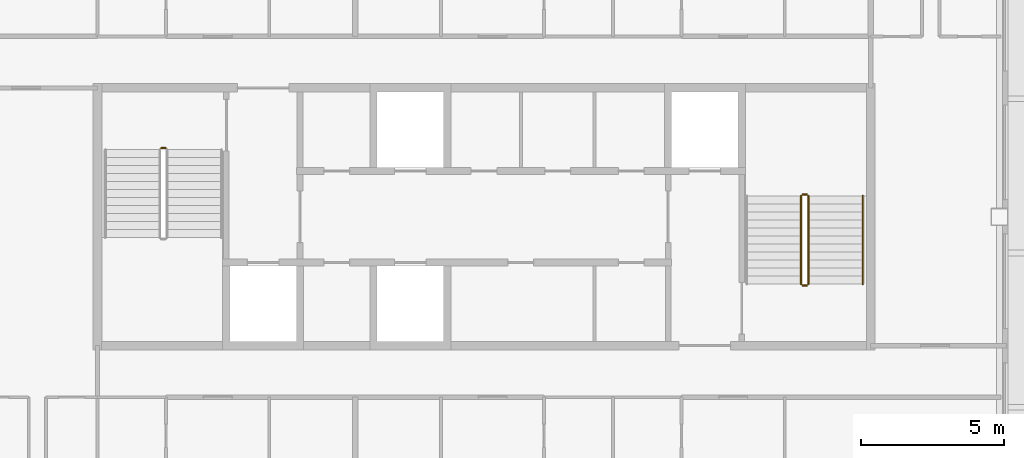
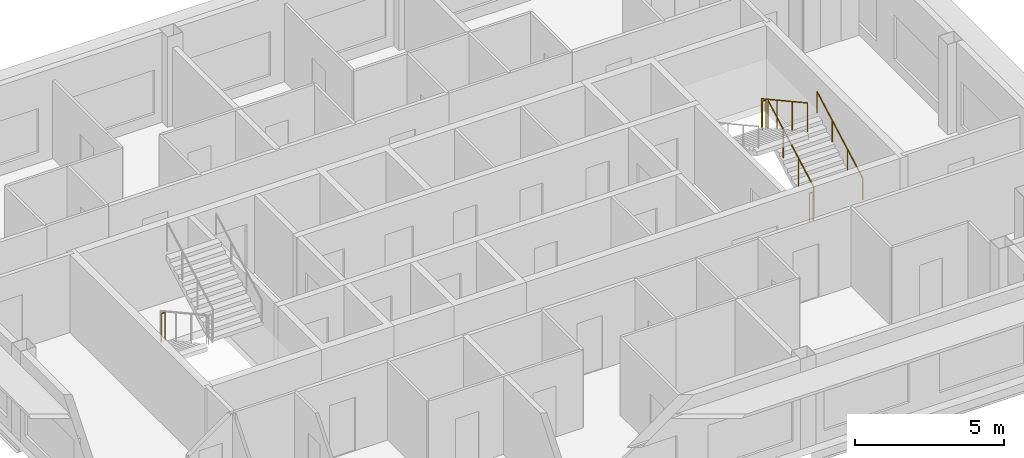
# One storey, part 11 of 11: 6 railings.
"""IFC4 building model written with IfcOpenShell, lengths in metres."""

from ifc_helpers import new_model, si_unit, direction, frame, origin, origin_2d, place, context, subcontext, project, spatial, circle, extrude, material, type_object, element, save


model = new_model("IFC4")

# Units and contexts
model_context = context("Model", 3, precision=1e-05, world=origin(), true_north=direction((0.0, 1.0)))
body_context = subcontext(model_context, "Body", "Model", "MODEL_VIEW")
ifc_project = project(units=[si_unit("LENGTHUNIT", "METRE"), si_unit("AREAUNIT", "SQUARE_METRE"), si_unit("VOLUMEUNIT", "CUBIC_METRE"), si_unit("PLANEANGLEUNIT", "RADIAN"), si_unit("MASSUNIT", "GRAM", prefix="KILO")], contexts=[model_context])

# Site, building, storey
site_placement = place(None, origin())
site = spatial("IfcSite", under=ifc_project, at=site_placement, CompositionType="ELEMENT")
building_placement = place(site_placement, origin())
building = spatial("IfcBuilding", under=site, at=building_placement, Name="Caravel Reach Hotel and Residences", CompositionType="ELEMENT")
storey_placement = place(building_placement, frame((0.0, 0.0, 301.89990234375)))
storey = spatial("IfcBuildingStorey", under=building, at=storey_placement, Name="L77", CompositionType="ELEMENT", Elevation=301.89990234375)

# Railings
ifc_material_1 = material(Name="Steel balustrade with glass infill", Category="steel")
railing_type_1 = type_object("IfcRailingType", Name="Guard 1200", PredefinedType="GUARDRAIL", material=ifc_material_1)
railing_1_placement = place(storey_placement, frame((20.22509765625, 29.39990234375, 0.0)))
element("IfcRailing", 1, at=railing_1_placement, inside=storey, type_object=railing_type_1, Name="L77 ST-A stair guard 4", PredefinedType="GUARDRAIL", context=body_context, shape_type="SweptSolid", body=[
    extrude(circle(Radius=0.02392578125, at=origin_2d()), frame((0.0, 0.0, 1.17578125), z_axis=(1.0, 0.0, 0.0), x_axis=(0.0, 1.0, 0.0)), (0.0, 0.0, 1.0), 0.14990234375),
    extrude(circle(Radius=0.02099609375, at=origin_2d()), origin(), (0.0, 0.0, 1.0), 1.15185546875),
    extrude(circle(Radius=0.02099609375, at=origin_2d()), frame((0.14990234375, 0.0, 0.0)), (0.0, 0.0, 1.0), 1.15185546875),
])
railing_2_placement = place(storey_placement, frame((42.824951171875, 24.64990234375, 0.154296875)))
element("IfcRailing", 2, at=railing_2_placement, inside=storey, type_object=railing_type_1, Name="L77 ST-B stair guard 1", PredefinedType="GUARDRAIL", context=body_context, shape_type="SweptSolid", body=[
    extrude(circle(Radius=0.02392578125, at=origin_2d()), frame((0.0, 0.0, 1.17578125), z_axis=(0.0, 0.876004717809, 0.482302534076), x_axis=(-1.0, 0.0, 0.0)), (0.0, 0.0, 1.0), 3.51611328125),
    extrude(circle(Radius=0.02099609375, at=origin_2d()), origin(), (0.0, 0.0, 1.0), 1.15185546875),
    extrude(circle(Radius=0.02099609375, at=origin_2d()), frame((0.0, 1.026611328125, 0.565185546875)), (0.0, 0.0, 1.0), 1.15185546875),
    extrude(circle(Radius=0.02099609375, at=origin_2d()), frame((0.0, 2.053466796875, 1.130615234375)), (0.0, 0.0, 1.0), 1.15185546875),
    extrude(circle(Radius=0.02099609375, at=origin_2d()), frame((0.0, 3.080078125, 1.69580078125)), (0.0, 0.0, 1.0), 1.15185546875),
])
railing_3_placement = place(storey_placement, frame((42.77490234375, 27.780029296875, 1.85009765625)))
element("IfcRailing", 3, at=railing_3_placement, inside=storey, type_object=railing_type_1, Name="L77 ST-B stair guard 2", PredefinedType="GUARDRAIL", context=body_context, shape_type="SweptSolid", body=[
    extrude(circle(Radius=0.02392578125, at=origin_2d()), frame((0.0, 0.0, 1.17578125), z_axis=(-1.0, 0.0, 0.0), x_axis=(0.0, -1.0, 0.0)), (0.0, 0.0, 1.0), 0.14990234375),
    extrude(circle(Radius=0.02099609375, at=origin_2d()), origin(), (0.0, 0.0, 1.0), 1.15185546875),
    extrude(circle(Radius=0.02099609375, at=origin_2d()), frame((-0.14990234375, 0.0, 0.0)), (0.0, 0.0, 1.0), 1.15185546875),
])
railing_4_placement = place(storey_placement, frame((42.574951171875, 27.72998046875, 2.004150390625)))
element("IfcRailing", 4, at=railing_4_placement, inside=storey, type_object=railing_type_1, Name="L77 ST-B stair guard 3", PredefinedType="GUARDRAIL", context=body_context, shape_type="SweptSolid", body=[
    extrude(circle(Radius=0.02392578125, at=origin_2d()), frame((0.0, 0.0, 1.17578125), z_axis=(0.0, -0.875975380505, 0.482355815502), x_axis=(1.0, 0.0, 0.0)), (0.0, 0.0, 1.0), 3.51611328125),
    extrude(circle(Radius=0.02099609375, at=origin_2d()), origin(), (0.0, 0.0, 1.0), 1.15185546875),
    extrude(circle(Radius=0.02099609375, at=origin_2d()), frame((0.0, -1.026611328125, 0.5654296875)), (0.0, 0.0, 1.0), 1.15185546875),
    extrude(circle(Radius=0.02099609375, at=origin_2d()), frame((0.0, -2.053466796875, 1.130615234375)), (0.0, 0.0, 1.0), 1.15185546875),
    extrude(circle(Radius=0.02099609375, at=origin_2d()), frame((0.0, -3.080078125, 1.696044921875)), (0.0, 0.0, 1.0), 1.15185546875),
])
railing_5_placement = place(storey_placement, frame((42.77490234375, 24.60009765625, 0.0)))
element("IfcRailing", 5, at=railing_5_placement, inside=storey, type_object=railing_type_1, Name="L77 ST-B stair guard 4", PredefinedType="GUARDRAIL", context=body_context, shape_type="SweptSolid", body=[
    extrude(circle(Radius=0.02392578125, at=origin_2d()), frame((0.0, 0.0, 1.17578125), z_axis=(-1.0, 0.0, 0.0), x_axis=(0.0, -1.0, 0.0)), (0.0, 0.0, 1.0), 0.14990234375),
    extrude(circle(Radius=0.02099609375, at=origin_2d()), origin(), (0.0, 0.0, 1.0), 1.15185546875),
    extrude(circle(Radius=0.02099609375, at=origin_2d()), frame((-0.14990234375, 0.0, 0.0)), (0.0, 0.0, 1.0), 1.15185546875),
])
ifc_material_2 = material(Name="Stainless steel handrail", Category="steel")
railing_type_2 = type_object("IfcRailingType", Name="Handrail 900", PredefinedType="HANDRAIL", material=ifc_material_2)
railing_6_placement = place(storey_placement, frame((44.72509765625, 24.64990234375, 0.154296875)))
element("IfcRailing", 6, at=railing_6_placement, inside=storey, type_object=railing_type_2, Name="L77 ST-B stair handrail 1", PredefinedType="HANDRAIL", context=body_context, shape_type="SweptSolid", body=[
    extrude(circle(Radius=0.02392578125, at=origin_2d()), frame((0.0, 0.0, 0.8759765625), z_axis=(0.0, 0.876004717809, 0.482302534076), x_axis=(-1.0, 0.0, 0.0)), (0.0, 0.0, 1.0), 3.51611328125),
    extrude(circle(Radius=0.02099609375, at=origin_2d()), origin(), (0.0, 0.0, 1.0), 0.851806640625),
    extrude(circle(Radius=0.02099609375, at=origin_2d()), frame((0.0, 1.026611328125, 0.565185546875)), (0.0, 0.0, 1.0), 0.851806640625),
    extrude(circle(Radius=0.02099609375, at=origin_2d()), frame((0.0, 2.053466796875, 1.130615234375)), (0.0, 0.0, 1.0), 0.851806640625),
    extrude(circle(Radius=0.02099609375, at=origin_2d()), frame((0.0, 3.080078125, 1.69580078125)), (0.0, 0.0, 1.0), 0.851806640625),
])

save(model, "model.ifc")
